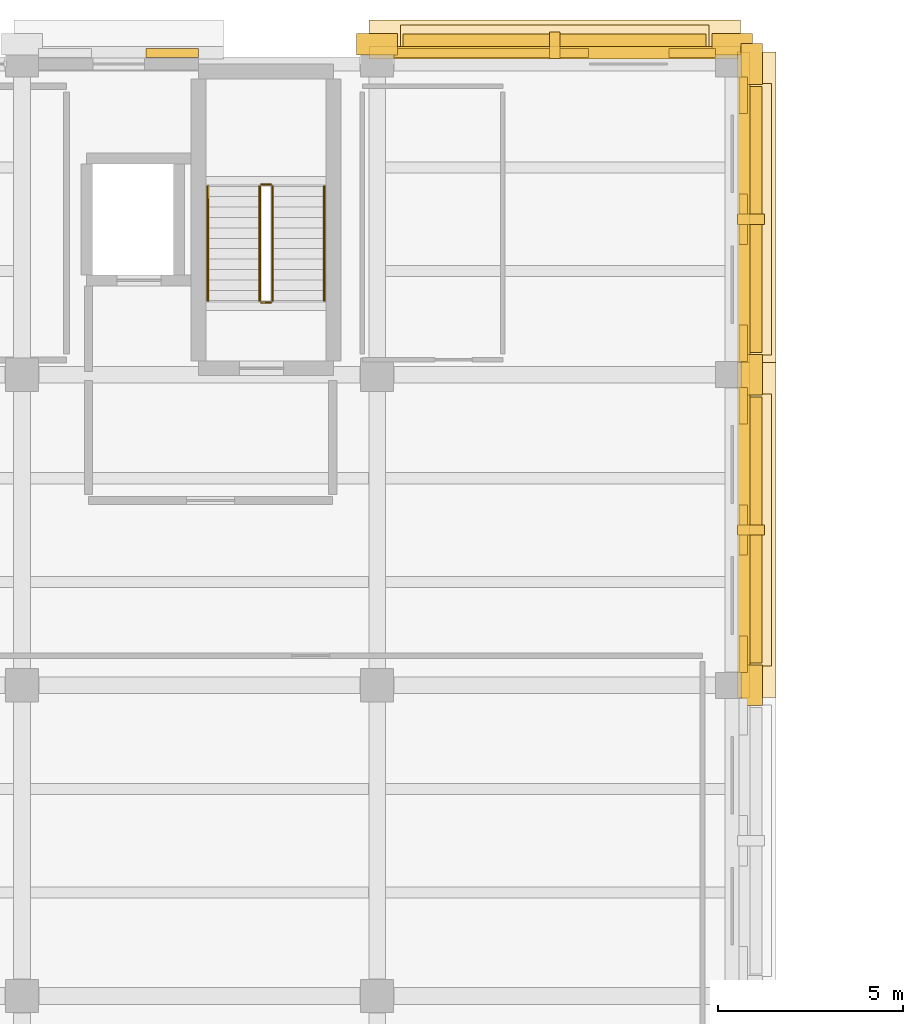
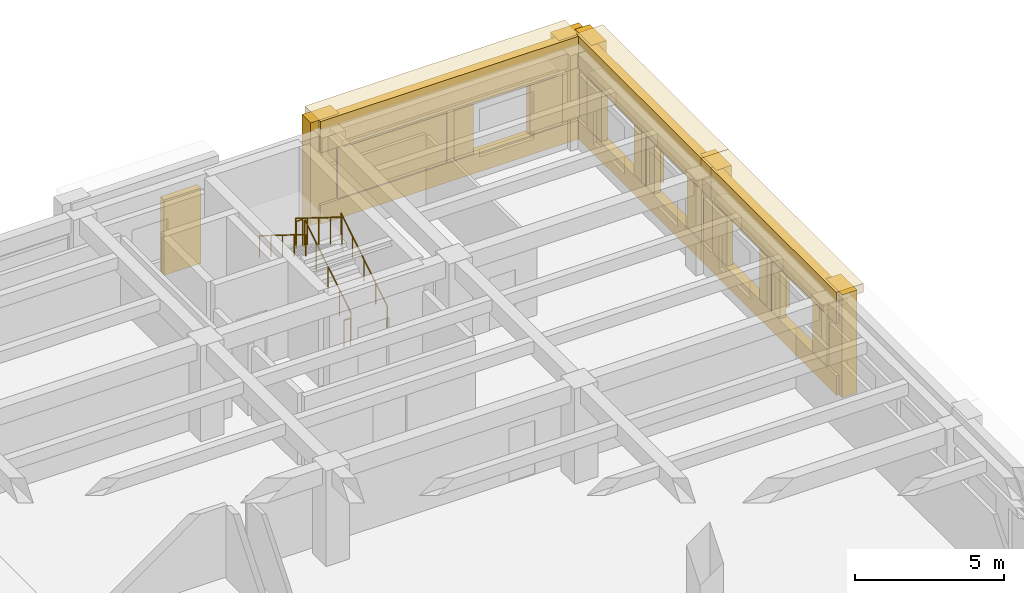
# One storey, part 60 of 62: 29 coverings, 6 railings, 3 shading devices.
"""IFC4 building model written with IfcOpenShell, lengths in metres."""

from ifc_helpers import new_model, si_unit, direction, frame, origin, origin_2d, place, context, subcontext, project, spatial, rectangle, circle, extrude, material, layer, layer_set, type_object, element, save


model = new_model("IFC4")

# Units and contexts
model_context = context("Model", 3, precision=1e-05, world=origin(), true_north=direction((0.0, 1.0)))
body_context = subcontext(model_context, "Body", "Model", "MODEL_VIEW")
ifc_project = project(units=[si_unit("LENGTHUNIT", "METRE"), si_unit("AREAUNIT", "SQUARE_METRE"), si_unit("VOLUMEUNIT", "CUBIC_METRE"), si_unit("PLANEANGLEUNIT", "RADIAN"), si_unit("MASSUNIT", "GRAM", prefix="KILO")], contexts=[model_context])

# Site, building, storey
site_placement = place(None, origin())
site = spatial("IfcSite", under=ifc_project, at=site_placement, CompositionType="ELEMENT")
building_placement = place(site_placement, origin())
building = spatial("IfcBuilding", under=site, at=building_placement, Name="Bempovik Park Faculty of Sciences", CompositionType="ELEMENT")
storey_placement = place(building_placement, frame((0.0, 0.0, 9.89990234375)))
storey = spatial("IfcBuildingStorey", under=building, at=storey_placement, Name="L02", CompositionType="ELEMENT", Elevation=9.89990234375)

# Coverings
ifc_material_1 = material(Name="Precast concrete C40/50", Category="concrete")
ifc_layer_1 = layer(ifc_material_1, 0.179931640625)
ifc_layer_set_1 = layer_set([ifc_layer_1], Name="Precast concrete C40/50")
covering_type_1 = type_object("IfcCoveringType", Name="CL-02 Classical Cornice Band 180mm", PredefinedType="CLADDING", material=ifc_layer_set_1)
covering_1_placement = place(storey_placement, frame((112.800048828125, 120.06494140625, 3.83984375), z_axis=(0.0, 0.0, 1.0), x_axis=(1.0, 0.0, 0.0)))
element("IfcCovering", 1, at=covering_1_placement, inside=storey, type_object=covering_type_1, Name="L02 Classical Projecting Dentil Cornice EW-L02-7657", PredefinedType="CLADDING", context=body_context, shape_type="SweptSolid", body=[
    extrude(rectangle(XDim=10.0458984375, YDim=1.050048828125, at=origin_2d()), origin(), (0.0, 0.0, 1.0), 0.360107421875),
])
covering_2_placement = place(storey_placement, frame((112.800048828125, 120.0, 2.91015625), z_axis=(0.0, 0.0, 1.0), x_axis=(1.0, 0.0, 0.0)))
element("IfcCovering", 2, at=covering_2_placement, inside=storey, type_object=covering_type_1, Name="L02 Classical Stone Solar Window Hood EW-L02-7657", PredefinedType="CLADDING", context=body_context, shape_type="SweptSolid", body=[
    extrude(rectangle(XDim=8.345947265625, YDim=0.919921875, at=origin_2d()), origin(), (0.0, 0.0, 1.0), 0.219970703125),
])
covering_3_placement = place(storey_placement, frame((118.264892578125, 106.800048828125, 3.83984375), z_axis=(0.0, 0.0, 1.0), x_axis=(1.0, 0.0, 0.0)))
element("IfcCovering", 3, at=covering_3_placement, inside=storey, type_object=covering_type_1, Name="L02 Classical Projecting Dentil Cornice EW-L02-7695", PredefinedType="CLADDING", context=body_context, shape_type="SweptSolid", body=[
    extrude(rectangle(XDim=1.050048828125, YDim=9.0458984375, at=origin_2d()), origin(), (0.0, 0.0, 1.0), 0.360107421875),
])
covering_4_placement = place(storey_placement, frame((118.199951171875, 106.800048828125, 2.91015625), z_axis=(0.0, 0.0, 1.0), x_axis=(1.0, 0.0, 0.0)))
element("IfcCovering", 4, at=covering_4_placement, inside=storey, type_object=covering_type_1, Name="L02 Classical Stone Solar Window Hood EW-L02-7695", PredefinedType="CLADDING", context=body_context, shape_type="SweptSolid", body=[
    extrude(rectangle(XDim=0.919921875, YDim=7.345947265625, at=origin_2d()), origin(), (0.0, 0.0, 1.0), 0.219970703125),
])
covering_5_placement = place(storey_placement, frame((118.264892578125, 115.199951171875, 3.83984375), z_axis=(0.0, 0.0, 1.0), x_axis=(1.0, 0.0, 0.0)))
element("IfcCovering", 5, at=covering_5_placement, inside=storey, type_object=covering_type_1, Name="L02 Classical Projecting Dentil Cornice EW-L02-7708", PredefinedType="CLADDING", context=body_context, shape_type="SweptSolid", body=[
    extrude(rectangle(XDim=1.050048828125, YDim=9.0458984375, at=origin_2d()), origin(), (0.0, 0.0, 1.0), 0.360107421875),
])
covering_6_placement = place(storey_placement, frame((118.199951171875, 115.199951171875, 2.91015625), z_axis=(0.0, 0.0, 1.0), x_axis=(1.0, 0.0, 0.0)))
element("IfcCovering", 6, at=covering_6_placement, inside=storey, type_object=covering_type_1, Name="L02 Classical Stone Solar Window Hood EW-L02-7708", PredefinedType="CLADDING", context=body_context, shape_type="SweptSolid", body=[
    extrude(rectangle(XDim=0.919921875, YDim=7.345947265625, at=origin_2d()), origin(), (0.0, 0.0, 1.0), 0.219970703125),
])
ifc_material_2 = material(Name="White reconstituted limestone precast C40/50", Category="masonry")
ifc_layer_2 = layer(ifc_material_2, 0.239990234375)
ifc_layer_set_2 = layer_set([ifc_layer_2], Name="White reconstituted limestone precast C40/50")
covering_type_2 = type_object("IfcCoveringType", Name="CL-03 Classical Fluted Limestone Pilaster 240mm", PredefinedType="CLADDING", material=ifc_layer_set_2)
covering_7_placement = place(storey_placement, frame((108.0, 119.929931640625, 0.0), z_axis=(0.0, 0.0, 1.0), x_axis=(1.0, 0.0, 0.0)))
element("IfcCovering", 7, at=covering_7_placement, inside=storey, type_object=covering_type_2, Name="L02 Classical Fluted Stone Pilaster PIL-BA-L02-1080-1199", PredefinedType="CLADDING", context=body_context, shape_type="SweptSolid", body=[
    extrude(rectangle(XDim=1.10009765625, YDim=0.580078125, at=origin_2d()), origin(), (0.0, 0.0, 1.0), 4.199951171875),
])
covering_8_placement = place(storey_placement, frame((102.46337890625, 119.699951171875, 0.0), z_axis=(0.0, 0.0, 1.0), x_axis=(1.0, 0.0, 0.0)))
element("IfcCovering", 8, at=covering_8_placement, inside=storey, type_object=covering_type_2, Name="L02 Stairwell White Limestone Cheek EW-L02-7649-2", PredefinedType="CLADDING", context=body_context, shape_type="SweptSolid", body=[
    extrude(rectangle(XDim=1.4208984375, YDim=0.239990234375, at=origin_2d()), origin(), (0.0, 0.0, 1.0), 3.080078125),
])
covering_9_placement = place(storey_placement, frame((112.800048828125, 119.7099609375, 2.919921875), z_axis=(0.0, 0.0, 1.0), x_axis=(1.0, 0.0, 0.0)))
element("IfcCovering", 9, at=covering_9_placement, inside=storey, type_object=covering_type_2, Name="L02 Classical Limestone Spandrel Entablature EW-L02-7657", PredefinedType="CLADDING", context=body_context, shape_type="SweptSolid", body=[
    extrude(rectangle(XDim=10.0458984375, YDim=0.340087890625, at=origin_2d()), origin(), (0.0, 0.0, 1.0), 1.280029296875),
])
covering_10_placement = place(storey_placement, frame((112.800048828125, 119.7099609375, 0.0), z_axis=(0.0, 0.0, 1.0), x_axis=(1.0, 0.0, 0.0)))
element("IfcCovering", 10, at=covering_10_placement, inside=storey, type_object=covering_type_2, Name="L02 Classical Limestone Sill Dado EW-L02-7657", PredefinedType="CLADDING", context=body_context, shape_type="SweptSolid", body=[
    extrude(rectangle(XDim=10.0458984375, YDim=0.340087890625, at=origin_2d()), origin(), (0.0, 0.0, 1.0), 0.780029296875),
])
covering_11_placement = place(storey_placement, frame((117.60009765625, 119.929931640625, 0.0), z_axis=(0.0, 0.0, 1.0), x_axis=(1.0, 0.0, 0.0)))
element("IfcCovering", 11, at=covering_11_placement, inside=storey, type_object=covering_type_2, Name="L02 Classical Fluted Stone Pilaster PIL-BA-L02-1176-1199", PredefinedType="CLADDING", context=body_context, shape_type="SweptSolid", body=[
    extrude(rectangle(XDim=1.10009765625, YDim=0.580078125, at=origin_2d()), origin(), (0.0, 0.0, 1.0), 4.199951171875),
])
covering_12_placement = place(storey_placement, frame((111.0810546875, 119.699951171875, 0.0), z_axis=(0.0, 0.0, 1.0), x_axis=(1.0, 0.0, 0.0)))
element("IfcCovering", 12, at=covering_12_placement, inside=storey, type_object=covering_type_2, Name="L02 White Limestone Wall Cheek EW-L02-7657-0", PredefinedType="CLADDING", context=body_context, shape_type="SweptSolid", body=[
    extrude(rectangle(XDim=5.258056640625, YDim=0.239990234375, at=origin_2d()), origin(), (0.0, 0.0, 1.0), 3.080078125),
])
covering_13_placement = place(storey_placement, frame((116.51904296875, 119.699951171875, 0.0), z_axis=(0.0, 0.0, 1.0), x_axis=(1.0, 0.0, 0.0)))
element("IfcCovering", 13, at=covering_13_placement, inside=storey, type_object=covering_type_2, Name="L02 White Limestone Wall Cheek EW-L02-7657-2", PredefinedType="CLADDING", context=body_context, shape_type="SweptSolid", body=[
    extrude(rectangle(XDim=1.2578125, YDim=0.239990234375, at=origin_2d()), origin(), (0.0, 0.0, 1.0), 3.080078125),
])
covering_14_placement = place(storey_placement, frame((112.800048828125, 119.909912109375, 0.7001953125), z_axis=(0.0, 0.0, 1.0), x_axis=(1.0, 0.0, 0.0)))
element("IfcCovering", 14, at=covering_14_placement, inside=storey, type_object=covering_type_2, Name="L02 Classical Vertical Stone Shading Fin EW-L02-7657", PredefinedType="CLADDING", context=body_context, shape_type="SweptSolid", body=[
    extrude(rectangle(XDim=0.280029296875, YDim=0.719970703125, at=origin_2d()), origin(), (0.0, 0.0, 1.0), 2.25),
])
covering_15_placement = place(storey_placement, frame((118.1298828125, 102.60009765625, 0.0), z_axis=(0.0, 0.0, 1.0), x_axis=(1.0, 0.0, 0.0)))
element("IfcCovering", 15, at=covering_15_placement, inside=storey, type_object=covering_type_2, Name="L02 Classical Fluted Stone Pilaster PIL-BA-L02-1181-1026", PredefinedType="CLADDING", context=body_context, shape_type="SweptSolid", body=[
    extrude(rectangle(XDim=0.580078125, YDim=1.10009765625, at=origin_2d()), origin(), (0.0, 0.0, 1.0), 4.199951171875),
])
covering_16_placement = place(storey_placement, frame((117.909912109375, 106.800048828125, 2.919921875), z_axis=(0.0, 0.0, 1.0), x_axis=(1.0, 0.0, 0.0)))
element("IfcCovering", 16, at=covering_16_placement, inside=storey, type_object=covering_type_2, Name="L02 Classical Limestone Spandrel Entablature EW-L02-7695", PredefinedType="CLADDING", context=body_context, shape_type="SweptSolid", body=[
    extrude(rectangle(XDim=0.340087890625, YDim=9.0458984375, at=origin_2d()), origin(), (0.0, 0.0, 1.0), 1.280029296875),
])
covering_17_placement = place(storey_placement, frame((117.909912109375, 106.800048828125, 0.0), z_axis=(0.0, 0.0, 1.0), x_axis=(1.0, 0.0, 0.0)))
element("IfcCovering", 17, at=covering_17_placement, inside=storey, type_object=covering_type_2, Name="L02 Classical Limestone Sill Dado EW-L02-7695", PredefinedType="CLADDING", context=body_context, shape_type="SweptSolid", body=[
    extrude(rectangle(XDim=0.340087890625, YDim=9.0458984375, at=origin_2d()), origin(), (0.0, 0.0, 1.0), 0.780029296875),
])
covering_18_placement = place(storey_placement, frame((118.1298828125, 111.0, 0.0), z_axis=(0.0, 0.0, 1.0), x_axis=(1.0, 0.0, 0.0)))
element("IfcCovering", 18, at=covering_18_placement, inside=storey, type_object=covering_type_2, Name="L02 Classical Fluted Stone Pilaster PIL-BA-L02-1181-1110", PredefinedType="CLADDING", context=body_context, shape_type="SweptSolid", body=[
    extrude(rectangle(XDim=0.580078125, YDim=1.10009765625, at=origin_2d()), origin(), (0.0, 0.0, 1.0), 4.199951171875),
])
covering_19_placement = place(storey_placement, frame((117.89990234375, 103.44580078125, 0.0), z_axis=(0.0, 0.0, 1.0), x_axis=(1.0, 0.0, 0.0)))
element("IfcCovering", 19, at=covering_19_placement, inside=storey, type_object=covering_type_2, Name="L02 White Limestone Wall Cheek EW-L02-7695-0", PredefinedType="CLADDING", context=body_context, shape_type="SweptSolid", body=[
    extrude(rectangle(XDim=0.239990234375, YDim=0.98779296875, at=origin_2d()), origin(), (0.0, 0.0, 1.0), 3.080078125),
])
covering_20_placement = place(storey_placement, frame((117.89990234375, 106.800048828125, 0.0), z_axis=(0.0, 0.0, 1.0), x_axis=(1.0, 0.0, 0.0)))
element("IfcCovering", 20, at=covering_20_placement, inside=storey, type_object=covering_type_2, Name="L02 White Limestone Wall Cheek EW-L02-7695-2", PredefinedType="CLADDING", context=body_context, shape_type="SweptSolid", body=[
    extrude(rectangle(XDim=0.239990234375, YDim=1.360107421875, at=origin_2d()), origin(), (0.0, 0.0, 1.0), 3.080078125),
])
covering_21_placement = place(storey_placement, frame((117.89990234375, 110.154052734375, 0.0), z_axis=(0.0, 0.0, 1.0), x_axis=(1.0, 0.0, 0.0)))
element("IfcCovering", 21, at=covering_21_placement, inside=storey, type_object=covering_type_2, Name="L02 White Limestone Wall Cheek EW-L02-7695-4", PredefinedType="CLADDING", context=body_context, shape_type="SweptSolid", body=[
    extrude(rectangle(XDim=0.239990234375, YDim=0.98779296875, at=origin_2d()), origin(), (0.0, 0.0, 1.0), 3.080078125),
])
covering_22_placement = place(storey_placement, frame((118.110107421875, 106.800048828125, 0.7001953125), z_axis=(0.0, 0.0, 1.0), x_axis=(1.0, 0.0, 0.0)))
element("IfcCovering", 22, at=covering_22_placement, inside=storey, type_object=covering_type_2, Name="L02 Classical Vertical Stone Shading Fin EW-L02-7695", PredefinedType="CLADDING", context=body_context, shape_type="SweptSolid", body=[
    extrude(rectangle(XDim=0.719970703125, YDim=0.280029296875, at=origin_2d()), origin(), (0.0, 0.0, 1.0), 2.25),
])
covering_23_placement = place(storey_placement, frame((117.909912109375, 115.199951171875, 2.919921875), z_axis=(0.0, 0.0, 1.0), x_axis=(1.0, 0.0, 0.0)))
element("IfcCovering", 23, at=covering_23_placement, inside=storey, type_object=covering_type_2, Name="L02 Classical Limestone Spandrel Entablature EW-L02-7708", PredefinedType="CLADDING", context=body_context, shape_type="SweptSolid", body=[
    extrude(rectangle(XDim=0.340087890625, YDim=9.0458984375, at=origin_2d()), origin(), (0.0, 0.0, 1.0), 1.280029296875),
])
covering_24_placement = place(storey_placement, frame((117.909912109375, 115.199951171875, 0.0), z_axis=(0.0, 0.0, 1.0), x_axis=(1.0, 0.0, 0.0)))
element("IfcCovering", 24, at=covering_24_placement, inside=storey, type_object=covering_type_2, Name="L02 Classical Limestone Sill Dado EW-L02-7708", PredefinedType="CLADDING", context=body_context, shape_type="SweptSolid", body=[
    extrude(rectangle(XDim=0.340087890625, YDim=9.0458984375, at=origin_2d()), origin(), (0.0, 0.0, 1.0), 0.780029296875),
])
covering_25_placement = place(storey_placement, frame((118.1298828125, 119.39990234375, 0.0), z_axis=(0.0, 0.0, 1.0), x_axis=(1.0, 0.0, 0.0)))
element("IfcCovering", 25, at=covering_25_placement, inside=storey, type_object=covering_type_2, Name="L02 Classical Fluted Stone Pilaster PIL-BA-L02-1181-1194", PredefinedType="CLADDING", context=body_context, shape_type="SweptSolid", body=[
    extrude(rectangle(XDim=0.580078125, YDim=1.10009765625, at=origin_2d()), origin(), (0.0, 0.0, 1.0), 4.199951171875),
])
covering_26_placement = place(storey_placement, frame((117.89990234375, 111.845947265625, 0.0), z_axis=(0.0, 0.0, 1.0), x_axis=(1.0, 0.0, 0.0)))
element("IfcCovering", 26, at=covering_26_placement, inside=storey, type_object=covering_type_2, Name="L02 White Limestone Wall Cheek EW-L02-7708-0", PredefinedType="CLADDING", context=body_context, shape_type="SweptSolid", body=[
    extrude(rectangle(XDim=0.239990234375, YDim=0.98779296875, at=origin_2d()), origin(), (0.0, 0.0, 1.0), 3.080078125),
])
covering_27_placement = place(storey_placement, frame((117.89990234375, 115.199951171875, 0.0), z_axis=(0.0, 0.0, 1.0), x_axis=(1.0, 0.0, 0.0)))
element("IfcCovering", 27, at=covering_27_placement, inside=storey, type_object=covering_type_2, Name="L02 White Limestone Wall Cheek EW-L02-7708-2", PredefinedType="CLADDING", context=body_context, shape_type="SweptSolid", body=[
    extrude(rectangle(XDim=0.239990234375, YDim=1.360107421875, at=origin_2d()), origin(), (0.0, 0.0, 1.0), 3.080078125),
])
covering_28_placement = place(storey_placement, frame((117.89990234375, 118.55419921875, 0.0), z_axis=(0.0, 0.0, 1.0), x_axis=(1.0, 0.0, 0.0)))
element("IfcCovering", 28, at=covering_28_placement, inside=storey, type_object=covering_type_2, Name="L02 White Limestone Wall Cheek EW-L02-7708-4", PredefinedType="CLADDING", context=body_context, shape_type="SweptSolid", body=[
    extrude(rectangle(XDim=0.239990234375, YDim=0.98779296875, at=origin_2d()), origin(), (0.0, 0.0, 1.0), 3.080078125),
])
covering_29_placement = place(storey_placement, frame((118.110107421875, 115.199951171875, 0.7001953125), z_axis=(0.0, 0.0, 1.0), x_axis=(1.0, 0.0, 0.0)))
element("IfcCovering", 29, at=covering_29_placement, inside=storey, type_object=covering_type_2, Name="L02 Classical Vertical Stone Shading Fin EW-L02-7708", PredefinedType="CLADDING", context=body_context, shape_type="SweptSolid", body=[
    extrude(rectangle(XDim=0.719970703125, YDim=0.280029296875, at=origin_2d()), origin(), (0.0, 0.0, 1.0), 2.25),
])

# Railings
ifc_material_3 = material(Name="Anodised architectural bronze")
railing_type_1 = type_object("IfcRailingType", Name="GR-01 Guardrail 1120mm", PredefinedType="GUARDRAIL", material=ifc_material_3)
railing_1_placement = place(storey_placement, frame((105.175048828125, 113.0, 0.175048828125)))
element("IfcRailing", 30, at=railing_1_placement, inside=storey, type_object=railing_type_1, Name="L02 ST-2 Stair Guard 1", PredefinedType="GUARDRAIL", context=body_context, shape_type="SweptSolid", body=[
    extrude(circle(Radius=0.02392578125, at=origin_2d()), frame((0.0, 0.0, 1.09619140625), z_axis=(0.0, 0.84905059285, 0.528311547082), x_axis=(-1.0, 0.0, 0.0)), (0.0, 0.0, 1.0), 3.643798828125),
    extrude(circle(Radius=0.02099609375, at=origin_2d()), origin(), (0.0, 0.0, 1.0), 1.072021484375),
    extrude(circle(Radius=0.02099609375, at=origin_2d()), frame((0.0, 0.7734375, 0.481201171875)), (0.0, 0.0, 1.0), 1.072021484375),
    extrude(circle(Radius=0.02099609375, at=origin_2d()), frame((0.0, 1.546875, 0.96240234375)), (0.0, 0.0, 1.0), 1.072021484375),
    extrude(circle(Radius=0.02099609375, at=origin_2d()), frame((0.0, 2.3203125, 1.44384765625)), (0.0, 0.0, 1.0), 1.072021484375),
    extrude(circle(Radius=0.02099609375, at=origin_2d()), frame((0.0, 3.09375, 1.925048828125)), (0.0, 0.0, 1.0), 1.072021484375),
])
railing_2_placement = place(storey_placement, frame((105.125, 116.143798828125, 2.10009765625)))
element("IfcRailing", 31, at=railing_2_placement, inside=storey, type_object=railing_type_1, Name="L02 ST-2 Stair Guard 2", PredefinedType="GUARDRAIL", context=body_context, shape_type="SweptSolid", body=[
    extrude(circle(Radius=0.02392578125, at=origin_2d()), frame((0.0, 0.0, 1.09619140625), z_axis=(-1.0, 0.0, 0.0), x_axis=(0.0, -1.0, 0.0)), (0.0, 0.0, 1.0), 0.25),
    extrude(circle(Radius=0.02099609375, at=origin_2d()), origin(), (0.0, 0.0, 1.0), 1.072021484375),
    extrude(circle(Radius=0.02099609375, at=origin_2d()), frame((-0.25, 0.0, 0.0)), (0.0, 0.0, 1.0), 1.072021484375),
])
railing_3_placement = place(storey_placement, frame((104.824951171875, 116.09375, 2.275146484375)))
element("IfcRailing", 32, at=railing_3_placement, inside=storey, type_object=railing_type_1, Name="L02 ST-2 Stair Guard 3", PredefinedType="GUARDRAIL", context=body_context, shape_type="SweptSolid", body=[
    extrude(circle(Radius=0.02392578125, at=origin_2d()), frame((0.0, 0.0, 1.09619140625), z_axis=(0.0, -0.84905059285, 0.528311547082), x_axis=(1.0, 0.0, 0.0)), (0.0, 0.0, 1.0), 3.643798828125),
    extrude(circle(Radius=0.02099609375, at=origin_2d()), origin(), (0.0, 0.0, 1.0), 1.072021484375),
    extrude(circle(Radius=0.02099609375, at=origin_2d()), frame((0.0, -0.7734375, 0.481201171875)), (0.0, 0.0, 1.0), 1.072021484375),
    extrude(circle(Radius=0.02099609375, at=origin_2d()), frame((0.0, -1.546875, 0.96240234375)), (0.0, 0.0, 1.0), 1.072021484375),
    extrude(circle(Radius=0.02099609375, at=origin_2d()), frame((0.0, -2.3203125, 1.44384765625)), (0.0, 0.0, 1.0), 1.072021484375),
    extrude(circle(Radius=0.02099609375, at=origin_2d()), frame((0.0, -3.09375, 1.925048828125)), (0.0, 0.0, 1.0), 1.072021484375),
])
railing_4_placement = place(storey_placement, frame((105.125, 112.949951171875, 0.0)))
element("IfcRailing", 33, at=railing_4_placement, inside=storey, type_object=railing_type_1, Name="L02 ST-2 Stair Guard 4", PredefinedType="GUARDRAIL", context=body_context, shape_type="SweptSolid", body=[
    extrude(circle(Radius=0.02392578125, at=origin_2d()), frame((0.0, 0.0, 1.09619140625), z_axis=(-1.0, 0.0, 0.0), x_axis=(0.0, -1.0, 0.0)), (0.0, 0.0, 1.0), 0.25),
    extrude(circle(Radius=0.02099609375, at=origin_2d()), origin(), (0.0, 0.0, 1.0), 1.072021484375),
    extrude(circle(Radius=0.02099609375, at=origin_2d()), frame((-0.25, 0.0, 0.0)), (0.0, 0.0, 1.0), 1.072021484375),
])
railing_type_2 = type_object("IfcRailingType", Name="HR-01 Wall Handrail 900mm", PredefinedType="HANDRAIL", material=ifc_material_3)
railing_5_placement = place(storey_placement, frame((106.574951171875, 113.0, 0.175048828125)))
element("IfcRailing", 34, at=railing_5_placement, inside=storey, type_object=railing_type_2, Name="L02 ST-2 Stair Handrail 1", PredefinedType="HANDRAIL", context=body_context, shape_type="SweptSolid", body=[
    extrude(circle(Radius=0.02392578125, at=origin_2d()), frame((0.0, 0.0, 0.8759765625), z_axis=(0.0, 0.84905059285, 0.528311547082), x_axis=(-1.0, 0.0, 0.0)), (0.0, 0.0, 1.0), 3.643798828125),
    extrude(circle(Radius=0.02099609375, at=origin_2d()), origin(), (0.0, 0.0, 1.0), 0.851806640625),
    extrude(circle(Radius=0.02099609375, at=origin_2d()), frame((0.0, 0.7734375, 0.481201171875)), (0.0, 0.0, 1.0), 0.851806640625),
    extrude(circle(Radius=0.02099609375, at=origin_2d()), frame((0.0, 1.546875, 0.96240234375)), (0.0, 0.0, 1.0), 0.851806640625),
    extrude(circle(Radius=0.02099609375, at=origin_2d()), frame((0.0, 2.3203125, 1.44384765625)), (0.0, 0.0, 1.0), 0.851806640625),
    extrude(circle(Radius=0.02099609375, at=origin_2d()), frame((0.0, 3.09375, 1.925048828125)), (0.0, 0.0, 1.0), 0.851806640625),
])
railing_6_placement = place(storey_placement, frame((103.425048828125, 116.09375, 2.275146484375)))
element("IfcRailing", 35, at=railing_6_placement, inside=storey, type_object=railing_type_2, Name="L02 ST-2 Stair Handrail 2", PredefinedType="HANDRAIL", context=body_context, shape_type="SweptSolid", body=[
    extrude(circle(Radius=0.02392578125, at=origin_2d()), frame((0.0, 0.0, 0.8759765625), z_axis=(0.0, -0.84905059285, 0.528311547082), x_axis=(1.0, 0.0, 0.0)), (0.0, 0.0, 1.0), 3.643798828125),
    extrude(circle(Radius=0.02099609375, at=origin_2d()), origin(), (0.0, 0.0, 1.0), 0.851806640625),
    extrude(circle(Radius=0.02099609375, at=origin_2d()), frame((0.0, -0.7734375, 0.481201171875)), (0.0, 0.0, 1.0), 0.851806640625),
    extrude(circle(Radius=0.02099609375, at=origin_2d()), frame((0.0, -1.546875, 0.96240234375)), (0.0, 0.0, 1.0), 0.851806640625),
    extrude(circle(Radius=0.02099609375, at=origin_2d()), frame((0.0, -2.3203125, 1.44384765625)), (0.0, 0.0, 1.0), 0.851806640625),
    extrude(circle(Radius=0.02099609375, at=origin_2d()), frame((0.0, -3.09375, 1.925048828125)), (0.0, 0.0, 1.0), 0.851806640625),
])

# Shading devices
ifc_layer_3 = layer(ifc_material_3, 0.06005859375)
ifc_layer_set_3 = layer_set([ifc_layer_3], Name="Anodised architectural bronze")
shading_device_type = type_object("IfcShadingDeviceType", Name="SH-01 Bronze Brise-Soleil Fin", PredefinedType="USERDEFINED", material=ifc_layer_set_3)
shading_device_placement = place(storey_placement, frame((112.800048828125, 119.8798828125, 2.85009765625), z_axis=(0.0, 0.0, 1.0), x_axis=(1.0, 0.0, 0.0)))
element("IfcShadingDevice", 36, at=shading_device_placement, inside=storey, type_object=shading_device_type, Name="L02 Equatorial Bronze Brise-Soleil EW-L02-7657", ObjectType="BRISE SOLEIL", PredefinedType="USERDEFINED", context=body_context, shape_type="SweptSolid", body=[
    extrude(rectangle(XDim=8.196044921875, YDim=0.64990234375, at=origin_2d()), origin(), (0.0, 0.0, 1.0), 0.06005859375),
])
for number, where, z_axis, x_axis, name in (
    (37, (118.080078125, 106.800048828125, 2.85009765625), (0.0, 0.0, 1.0), (1.0, 0.0, 0.0), "L02 Equatorial Bronze Brise-Soleil EW-L02-7695"),
    (38, (118.080078125, 115.199951171875, 2.85009765625), (0.0, 0.0, 1.0), (1.0, 0.0, 0.0), "L02 Equatorial Bronze Brise-Soleil EW-L02-7708"),
):
    element("IfcShadingDevice", number, at=place(storey_placement, frame(where, z_axis=z_axis, x_axis=x_axis)), inside=storey, type_object=shading_device_type, Name=name, ObjectType="BRISE SOLEIL", PredefinedType="USERDEFINED", context=body_context, shape_type="SweptSolid", body=[
        extrude(rectangle(XDim=0.64990234375, YDim=7.196044921875, at=origin_2d()), origin(), (0.0, 0.0, 1.0), 0.06005859375),
    ])

save(model, "model.ifc")
